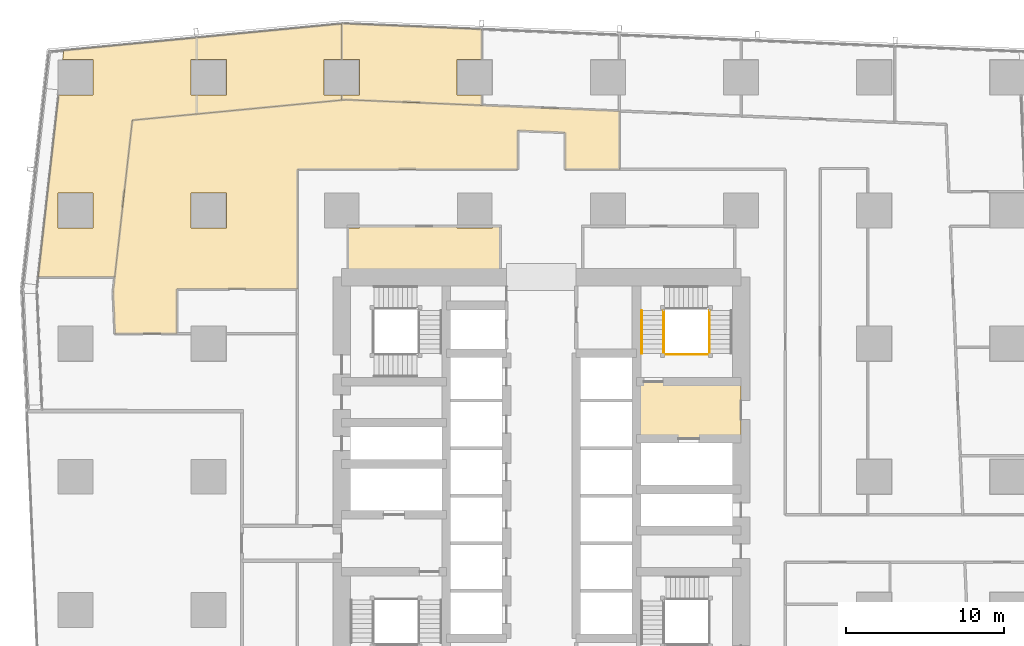
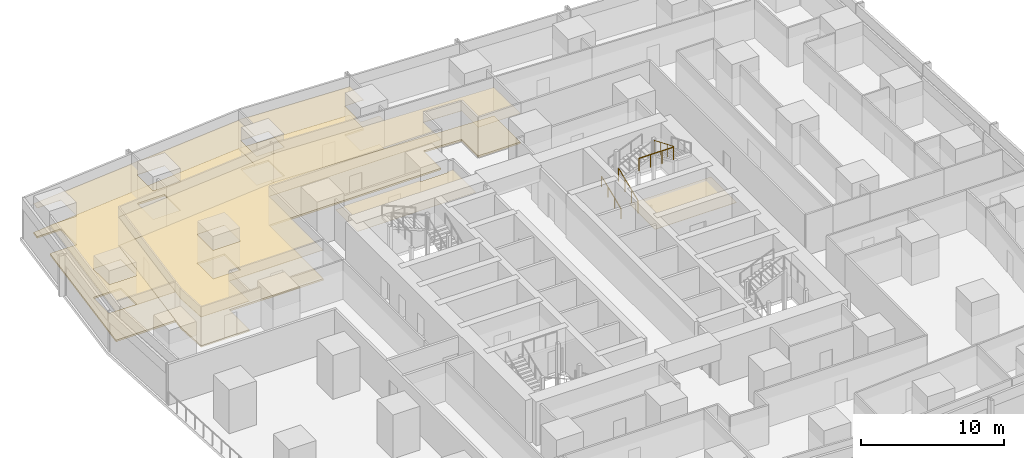
# One storey, part 40 of 42: 8 coverings, 4 railings.
"""IFC4 building model written with IfcOpenShell, lengths in metres."""

from ifc_helpers import new_model, si_unit, direction, frame, origin, origin_2d, place, context, subcontext, project, spatial, polyline, circle, outline, extrude, material, layer, layer_set, type_object, element, save


model = new_model("IFC4")

# Units and contexts
model_context = context("Model", 3, precision=1e-05, world=origin(), true_north=direction((0.0, 1.0)))
body_context = subcontext(model_context, "Body", "Model", "MODEL_VIEW")
ifc_project = project(units=[si_unit("LENGTHUNIT", "METRE"), si_unit("AREAUNIT", "SQUARE_METRE"), si_unit("VOLUMEUNIT", "CUBIC_METRE"), si_unit("PLANEANGLEUNIT", "RADIAN"), si_unit("MASSUNIT", "GRAM", prefix="KILO")], contexts=[model_context])

# Site, building, storey
site_placement = place(None, origin())
site = spatial("IfcSite", under=ifc_project, at=site_placement, CompositionType="ELEMENT")
building_placement = place(site_placement, origin())
building = spatial("IfcBuilding", under=site, at=building_placement, Name="Rekha Terrace Tower", CompositionType="ELEMENT")
storey_placement = place(building_placement, frame((0.0, 0.0, 55.39990234375)))
storey = spatial("IfcBuildingStorey", under=building, at=storey_placement, Name="L13", CompositionType="ELEMENT", Elevation=55.39990234375)

# Coverings
ifc_material_1 = material(Name="Mineral fibre tile in exposed grid", Category="finish")
ifc_layer_1 = layer(ifc_material_1, 0.02001953125)
ifc_layer_set_1 = layer_set([ifc_layer_1], Name="Mineral fibre tile in exposed grid")
covering_type_1 = type_object("IfcCoveringType", Name="CL1 600x1200 office grid ceiling", PredefinedType="CEILING", material=ifc_layer_set_1)
covering_1_placement = place(storey_placement, frame((0.0, 0.0, 2.580078125)))
element("IfcCovering", 1, at=covering_1_placement, inside=storey, type_object=covering_type_1, Name="Ceiling L13-14", PredefinedType="CEILING", context=body_context, shape_type="SweptSolid", body=[
    extrude(outline(polyline([(32.485107421875, 59.9150390625), (34.02099609375, 59.9150390625), (34.02099609375, 61.842041015625), (25.200927734375, 62.205078125), (25.200927734375, 59.9150390625), (26.31494140625, 59.9150390625), (26.31494140625, 57.68505859375), (25.200927734375, 57.68505859375), (25.200927734375, 57.40087890625), (34.02099609375, 57.037109375), (34.02099609375, 57.68505859375), (32.485107421875, 57.68505859375), (32.485107421875, 59.9150390625)])), origin(), (0.0, 0.0, 1.0), 0.02001953125),
])
covering_2_placement = place(storey_placement, frame((0.0, 0.0, 2.580078125)))
element("IfcCovering", 2, at=covering_2_placement, inside=storey, type_object=covering_type_1, Name="Ceiling L13-15", PredefinedType="CEILING", context=body_context, shape_type="SweptSolid", body=[
    extrude(outline(polyline([(24.0849609375, 59.9150390625), (25.199951171875, 59.9150390625), (25.199951171875, 62.18798828125), (16.052001953125, 61.30810546875), (7.655029296875, 60.5009765625), (7.589111328125, 59.9150390625), (9.514892578125, 59.9150390625), (9.514892578125, 57.68505859375), (7.339111328125, 57.68505859375), (6.047119140625, 46.19091796875), (10.876953125, 46.19091796875), (11.989990234375, 56.095947265625), (16.053955078125, 56.486083984375), (25.199951171875, 57.365966796875), (25.199951171875, 57.68505859375), (24.0849609375, 57.68505859375), (24.0849609375, 59.9150390625)]), holes=[polyline([(17.9150390625, 57.68505859375), (15.68505859375, 57.68505859375), (15.68505859375, 59.9150390625), (17.9150390625, 59.9150390625), (17.9150390625, 57.68505859375)]), polyline([(9.514892578125, 51.514892578125), (9.514892578125, 49.284912109375), (7.284912109375, 49.284912109375), (7.284912109375, 51.514892578125), (9.514892578125, 51.514892578125)])]), origin(), (0.0, 0.0, 1.0), 0.02001953125),
])
covering_3_placement = place(storey_placement, frame((0.0, 0.0, 2.580078125)))
element("IfcCovering", 3, at=covering_3_placement, inside=storey, type_object=covering_type_1, Name="Ceiling L13-O4", PredefinedType="CEILING", context=body_context, shape_type="SweptSolid", body=[
    extrude(outline(polyline([(11.989990234375, 56.095947265625), (10.876953125, 46.18994140625), (10.77490234375, 45.280029296875), (10.89111328125, 42.631103515625), (14.801025390625, 42.631103515625), (14.801025390625, 45.444091796875), (22.39990234375, 45.444091796875), (22.39990234375, 53.0), (36.300048828125, 53.0), (36.300048828125, 55.44189453125), (39.300048828125, 55.319091796875), (39.300048828125, 53.0), (42.718017578125, 53.0), (42.718017578125, 56.678955078125), (34.02099609375, 57.037109375), (25.45703125, 57.39111328125), (25.18505859375, 57.364990234375), (16.0380859375, 56.485107421875), (11.989990234375, 56.095947265625)]), holes=[polyline([(17.9150390625, 49.284912109375), (15.68505859375, 49.284912109375), (15.68505859375, 51.514892578125), (17.9150390625, 51.514892578125), (17.9150390625, 49.284912109375)])]), origin(), (0.0, 0.0, 1.0), 0.02001953125),
])
ifc_material_2 = material(Name="Fibre cement board", Category="finish")
ifc_layer_2 = layer(ifc_material_2, 0.014892578125)
ifc_layer_set_2 = layer_set([ifc_layer_2], Name="Fibre cement board")
covering_type_2 = type_object("IfcCoveringType", Name="CL2 moisture-resistant board ceiling", PredefinedType="CEILING", material=ifc_layer_set_2)
covering_4_placement = place(storey_placement, frame((0.0, 0.0, 2.585205078125)))
element("IfcCovering", 4, at=covering_4_placement, inside=storey, type_object=covering_type_2, Name="Ceiling L13-WCF2", PredefinedType="CEILING", context=body_context, shape_type="SweptSolid", body=[
    extrude(outline(polyline([(26.31494140625, 49.284912109375), (25.60009765625, 49.284912109375), (25.60009765625, 46.199951171875), (35.199951171875, 46.199951171875), (35.199951171875, 49.39990234375), (34.715087890625, 49.39990234375), (34.715087890625, 49.284912109375), (32.485107421875, 49.284912109375), (32.485107421875, 49.39990234375), (26.31494140625, 49.39990234375), (26.31494140625, 49.284912109375)])), origin(), (0.0, 0.0, 1.0), 0.014892578125),
])
ifc_material_3 = material(Name="Powder-coated aluminium pan", Category="aluminium")
ifc_layer_3 = layer(ifc_material_3, 0.030029296875)
ifc_layer_set_3 = layer_set([ifc_layer_3], Name="Powder-coated aluminium pan")
covering_type_3 = type_object("IfcCoveringType", Name="CL3 300x1200 metal pan ceiling", PredefinedType="CEILING", material=ifc_layer_set_3)
covering_5_placement = place(storey_placement, frame((0.0, 0.0, 2.570068359375)))
element("IfcCovering", 5, at=covering_5_placement, inside=storey, type_object=covering_type_3, Name="Ceiling L13-FLB2", PredefinedType="CEILING", context=body_context, shape_type="SweptSolid", body=[
    extrude(outline(polyline([(50.39990234375, 39.60009765625), (43.800048828125, 39.60009765625), (43.800048828125, 36.0), (50.39990234375, 36.0), (50.39990234375, 39.60009765625)])), origin(), (0.0, 0.0, 1.0), 0.030029296875),
])

# Railings
ifc_material_4 = material(Name="Stainless steel balustrade", Category="steel")
railing_type_1 = type_object("IfcRailingType", Name="GR1 1100 stair guard", PredefinedType="GUARDRAIL", material=ifc_material_4)
railing_1_placement = place(storey_placement, frame((45.514892578125, 41.375, 0.125)))
element("IfcRailing", 6, at=railing_1_placement, inside=storey, type_object=railing_type_1, Name="Guard ST2 L13 flight 1", PredefinedType="GUARDRAIL", context=body_context, shape_type="SweptSolid", body=[
    extrude(circle(Radius=0.02392578125, at=origin_2d()), frame((0.0, 0.0, 1.076171875), z_axis=(0.0, 0.923074453586, 0.384621311341), x_axis=(-1.0, 0.0, 0.0)), (0.0, 0.0, 1.0), 2.925048828125),
    extrude(circle(Radius=0.02099609375, at=origin_2d()), origin(), (0.0, 0.0, 1.0), 1.052001953125),
    extrude(circle(Radius=0.02099609375, at=origin_2d()), frame((0.0, 0.89990234375, 0.375)), (0.0, 0.0, 1.0), 1.052001953125),
    extrude(circle(Radius=0.02099609375, at=origin_2d()), frame((0.0, 1.800048828125, 0.75)), (0.0, 0.0, 1.0), 1.052001953125),
    extrude(circle(Radius=0.02099609375, at=origin_2d()), frame((0.0, 2.699951171875, 1.125)), (0.0, 0.0, 1.0), 1.052001953125),
])
railing_2_placement = place(storey_placement, frame((48.409912109375, 44.074951171875, 2.625)))
element("IfcRailing", 7, at=railing_2_placement, inside=storey, type_object=railing_type_1, Name="Guard ST2 L13 flight 3", PredefinedType="GUARDRAIL", context=body_context, shape_type="SweptSolid", body=[
    extrude(circle(Radius=0.02392578125, at=origin_2d()), frame((0.0, 0.0, 1.076171875), z_axis=(0.0, -0.923074453586, 0.384621311341), x_axis=(1.0, 0.0, 0.0)), (0.0, 0.0, 1.0), 2.925048828125),
    extrude(circle(Radius=0.02099609375, at=origin_2d()), origin(), (0.0, 0.0, 1.0), 1.052001953125),
    extrude(circle(Radius=0.02099609375, at=origin_2d()), frame((0.0, -0.89990234375, 0.375)), (0.0, 0.0, 1.0), 1.052001953125),
    extrude(circle(Radius=0.02099609375, at=origin_2d()), frame((0.0, -1.800048828125, 0.75)), (0.0, 0.0, 1.0), 1.052001953125),
    extrude(circle(Radius=0.02099609375, at=origin_2d()), frame((0.0, -2.699951171875, 1.125)), (0.0, 0.0, 1.0), 1.052001953125),
])
railing_3_placement = place(storey_placement, frame((45.574951171875, 41.31494140625, 3.75)))
element("IfcRailing", 8, at=railing_3_placement, inside=storey, type_object=railing_type_1, Name="Guard ST2 L13 landing 4", PredefinedType="GUARDRAIL", context=body_context, shape_type="SweptSolid", body=[
    extrude(circle(Radius=0.02392578125, at=origin_2d()), frame((0.0, 0.0, 1.076171875), z_axis=(1.0, 0.0, 0.0), x_axis=(0.0, 1.0, 0.0)), (0.0, 0.0, 1.0), 2.775146484375),
    extrude(circle(Radius=0.02099609375, at=origin_2d()), origin(), (0.0, 0.0, 1.0), 1.052001953125),
    extrude(circle(Radius=0.02099609375, at=origin_2d()), frame((0.925048828125, 0.0, 0.0)), (0.0, 0.0, 1.0), 1.052001953125),
    extrude(circle(Radius=0.02099609375, at=origin_2d()), frame((1.85009765625, 0.0, 0.0)), (0.0, 0.0, 1.0), 1.052001953125),
    extrude(circle(Radius=0.02099609375, at=origin_2d()), frame((2.775146484375, 0.0, 0.0)), (0.0, 0.0, 1.0), 1.052001953125),
])
ifc_material_5 = material(Name="Stainless steel tube", Category="steel")
railing_type_2 = type_object("IfcRailingType", Name="HR1 900 stair handrail", PredefinedType="HANDRAIL", material=ifc_material_5)
railing_4_placement = place(storey_placement, frame((44.135009765625, 41.375, 0.125)))
element("IfcRailing", 9, at=railing_4_placement, inside=storey, type_object=railing_type_2, Name="Handrail ST2 L13 flight 1", PredefinedType="HANDRAIL", context=body_context, shape_type="SweptSolid", body=[
    extrude(circle(Radius=0.02392578125, at=origin_2d()), frame((0.0, 0.0, 0.8759765625), z_axis=(0.0, 0.923074453586, 0.384621311341), x_axis=(-1.0, 0.0, 0.0)), (0.0, 0.0, 1.0), 2.925048828125),
    extrude(circle(Radius=0.02099609375, at=origin_2d()), origin(), (0.0, 0.0, 1.0), 0.851806640625),
    extrude(circle(Radius=0.02099609375, at=origin_2d()), frame((0.0, 0.89990234375, 0.375)), (0.0, 0.0, 1.0), 0.851806640625),
    extrude(circle(Radius=0.02099609375, at=origin_2d()), frame((0.0, 1.800048828125, 0.75)), (0.0, 0.0, 1.0), 0.851806640625),
    extrude(circle(Radius=0.02099609375, at=origin_2d()), frame((0.0, 2.699951171875, 1.125)), (0.0, 0.0, 1.0), 0.851806640625),
])

# Coverings
ifc_material_6 = material(Name="Calcium sulphate panels on steel pedestals", Category="steel")
ifc_layer_4 = layer(ifc_material_6, 0.14990234375)
ifc_layer_set_4 = layer_set([ifc_layer_4], Name="Calcium sulphate panels on steel pedestals")
covering_type_4 = type_object("IfcCoveringType", Name="RF1 150 raised access floor", PredefinedType="FLOORING", material=ifc_layer_set_4)
covering_6_placement = place(storey_placement, origin())
element("IfcCovering", 10, at=covering_6_placement, inside=storey, type_object=covering_type_4, Name="Raised floor L13-14", PredefinedType="FLOORING", context=body_context, shape_type="SweptSolid", body=[
    extrude(outline(polyline([(32.485107421875, 59.9150390625), (34.02099609375, 59.9150390625), (34.02099609375, 61.842041015625), (25.200927734375, 62.205078125), (25.200927734375, 59.9150390625), (26.31494140625, 59.9150390625), (26.31494140625, 57.68505859375), (25.200927734375, 57.68505859375), (25.200927734375, 57.40087890625), (34.02099609375, 57.037109375), (34.02099609375, 57.68505859375), (32.485107421875, 57.68505859375), (32.485107421875, 59.9150390625)])), origin(), (0.0, 0.0, 1.0), 0.150146484375),
])
covering_7_placement = place(storey_placement, origin())
element("IfcCovering", 11, at=covering_7_placement, inside=storey, type_object=covering_type_4, Name="Raised floor L13-15", PredefinedType="FLOORING", context=body_context, shape_type="SweptSolid", body=[
    extrude(outline(polyline([(24.0849609375, 59.9150390625), (25.199951171875, 59.9150390625), (25.199951171875, 62.18798828125), (16.052001953125, 61.30810546875), (7.655029296875, 60.5009765625), (7.589111328125, 59.9150390625), (9.514892578125, 59.9150390625), (9.514892578125, 57.68505859375), (7.339111328125, 57.68505859375), (6.047119140625, 46.19091796875), (10.876953125, 46.19091796875), (11.989990234375, 56.095947265625), (16.053955078125, 56.486083984375), (25.199951171875, 57.365966796875), (25.199951171875, 57.68505859375), (24.0849609375, 57.68505859375), (24.0849609375, 59.9150390625)]), holes=[polyline([(17.9150390625, 57.68505859375), (15.68505859375, 57.68505859375), (15.68505859375, 59.9150390625), (17.9150390625, 59.9150390625), (17.9150390625, 57.68505859375)]), polyline([(9.514892578125, 51.514892578125), (9.514892578125, 49.284912109375), (7.284912109375, 49.284912109375), (7.284912109375, 51.514892578125), (9.514892578125, 51.514892578125)])]), origin(), (0.0, 0.0, 1.0), 0.150146484375),
])
covering_8_placement = place(storey_placement, origin())
element("IfcCovering", 12, at=covering_8_placement, inside=storey, type_object=covering_type_4, Name="Raised floor L13-O4", PredefinedType="FLOORING", context=body_context, shape_type="SweptSolid", body=[
    extrude(outline(polyline([(11.989990234375, 56.095947265625), (10.876953125, 46.18994140625), (10.77490234375, 45.280029296875), (10.89111328125, 42.631103515625), (14.801025390625, 42.631103515625), (14.801025390625, 45.444091796875), (22.39990234375, 45.444091796875), (22.39990234375, 53.0), (36.300048828125, 53.0), (36.300048828125, 55.44189453125), (39.300048828125, 55.319091796875), (39.300048828125, 53.0), (42.718017578125, 53.0), (42.718017578125, 56.678955078125), (34.02099609375, 57.037109375), (25.45703125, 57.39111328125), (25.18505859375, 57.364990234375), (16.0380859375, 56.485107421875), (11.989990234375, 56.095947265625)]), holes=[polyline([(17.9150390625, 49.284912109375), (15.68505859375, 49.284912109375), (15.68505859375, 51.514892578125), (17.9150390625, 51.514892578125), (17.9150390625, 49.284912109375)])]), origin(), (0.0, 0.0, 1.0), 0.150146484375),
])

save(model, "model.ifc")
